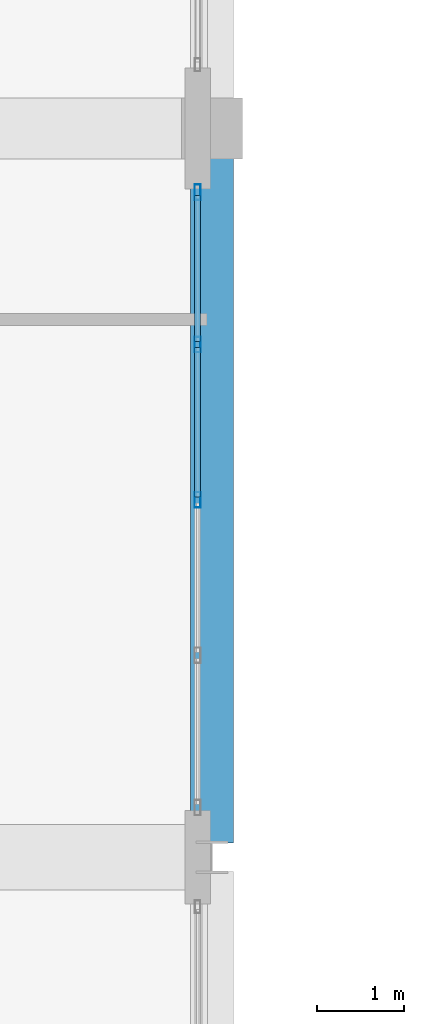
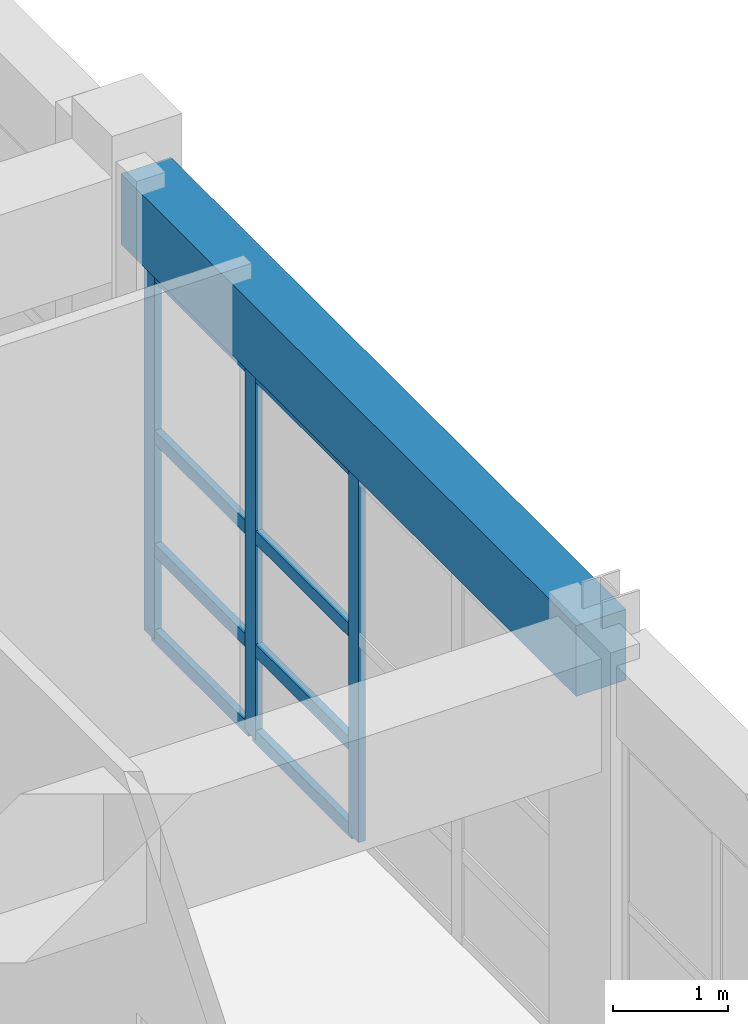
# One storey, part 18 of 78: 11 members, 1 beam, 1 element without a shape of its own.
"""IFC4 building model written with IfcOpenShell, lengths in metres."""

from ifc_helpers import new_model, si_unit, direction, frame, origin, origin_2d, place, context, subcontext, project, spatial, rectangle, hollow_rectangle, extrude, material, layer, layer_set, material_profile, profile_set, type_object, element, aggregate, save


model = new_model("IFC4")

# Units and contexts
model_context = context("Model", 3, precision=1e-05, world=origin(), true_north=direction((0.0, 1.0)))
body_context = subcontext(model_context, "Body", "Model", "MODEL_VIEW")
ifc_project = project(units=[si_unit("LENGTHUNIT", "METRE"), si_unit("AREAUNIT", "SQUARE_METRE"), si_unit("VOLUMEUNIT", "CUBIC_METRE"), si_unit("PLANEANGLEUNIT", "RADIAN"), si_unit("MASSUNIT", "GRAM", prefix="KILO")], contexts=[model_context])

# Site, building, storey
site_placement = place(None, origin())
site = spatial("IfcSite", under=ifc_project, at=site_placement, CompositionType="ELEMENT")
building_placement = place(site_placement, origin())
building = spatial("IfcBuilding", under=site, at=building_placement, Name="Quendrovan Civic Courthouse", CompositionType="ELEMENT")
storey_placement = place(building_placement, frame((0.0, 0.0, 10.199951171875)))
storey = spatial("IfcBuildingStorey", under=building, at=storey_placement, Name="L03", CompositionType="ELEMENT", Elevation=10.199951171875)

# Beam
ifc_material_1 = material(Name="Concrete C40/50", Category="concrete")
ifc_material_profile_1 = material_profile(ifc_material_1, rectangle(XDim=0.5, YDim=0.75, at=origin_2d()), Name="RC-BM-500x750")
ifc_profile_set_1 = profile_set([ifc_material_profile_1], Name="Concrete C40/50")
beam_type = type_object("IfcBeamType", Name="BM-RC750", PredefinedType="SPANDREL", material=ifc_profile_set_1)
beam_placement = place(storey_placement, frame((16.800048828125, 39.76611328125, 4.28515625), z_axis=(0.0, 1.0, 0.0), x_axis=(-1.0, 0.0, 0.0)))
element("IfcBeam", 1, at=beam_placement, inside=storey, type_object=beam_type, Name="L03 Girder Y0813", PredefinedType="SPANDREL", context=body_context, shape_type="SweptSolid", body=[
    extrude(rectangle(XDim=0.5, YDim=0.75, at=origin_2d()), origin(), (0.0, 0.0, 1.0), 7.90380859375),
])

# Curtain wall, members
ifc_material_2 = material(Name="Bronze anodised aluminium and low-E glass", Category="aluminium")
ifc_layer = layer(ifc_material_2, 0.179931640625, Name="Bronze anodised aluminium and low-E glass")
ifc_layer_set = layer_set([ifc_layer], Name="Bronze anodised aluminium and low-E glass")
curtain_wall_type = type_object("IfcCurtainWallType", Name="CW-U72x39", PredefinedType="USERDEFINED", material=ifc_layer_set)
curtain_wall_placement = place(storey_placement, origin())
curtain_wall = element("IfcCurtainWall", 2, at=curtain_wall_placement, inside=storey, type_object=curtain_wall_type, Name="L03 Unitised Hurricane Curtain Wall CW-124", ObjectType="UNITISED CURTAIN WALL", PredefinedType="USERDEFINED")
ifc_material_3 = material(Name="Bronze anodised aluminium", Category="aluminium")
ifc_material_profile_2 = material_profile(ifc_material_3, hollow_rectangle(XDim=0.070068359375, YDim=0.179931640625, WallThickness=0.00390625, at=origin_2d()), Name="CW-MULL-70x180")
ifc_profile_set_2 = profile_set([ifc_material_profile_2], Name="Bronze anodised aluminium")
member_type_1 = type_object("IfcMemberType", Name="CW-MULL-A", PredefinedType="MULLION", material=ifc_profile_set_2)
member_1_placement = place(storey_placement, frame((16.635009765625, 47.264892578125, 0.0), z_axis=(0.0, 0.0, 1.0), x_axis=(1.0, 0.0, 0.0)))
member_1 = element("IfcMember", 3, at=member_1_placement, type_object=member_type_1, Name="CW-124 mullion 1", PredefinedType="MULLION", context=body_context, shape_type="SweptSolid", body=[
    extrude(hollow_rectangle(XDim=0.070068359375, YDim=0.179931640625, WallThickness=0.00390625, at=origin_2d()), origin(), (0.0, 0.0, 1.0), 3.900146484375),
])
member_2_placement = place(storey_placement, frame((16.635009765625, 45.50927734375, 0.0), z_axis=(0.0, 0.0, 1.0), x_axis=(1.0, 0.0, 0.0)))
member_2 = element("IfcMember", 4, at=member_2_placement, type_object=member_type_1, Name="CW-124 mullion 2", PredefinedType="MULLION", context=body_context, shape_type="SweptSolid", body=[
    extrude(hollow_rectangle(XDim=0.070068359375, YDim=0.179931640625, WallThickness=0.00390625, at=origin_2d()), origin(), (0.0, 0.0, 1.0), 3.900146484375),
])
member_3_placement = place(storey_placement, frame((16.635009765625, 43.718505859375, 0.0), z_axis=(0.0, 0.0, 1.0), x_axis=(1.0, 0.0, 0.0)))
member_3 = element("IfcMember", 5, at=member_3_placement, type_object=member_type_1, Name="CW-124 mullion 3", PredefinedType="MULLION", context=body_context, shape_type="SweptSolid", body=[
    extrude(hollow_rectangle(XDim=0.070068359375, YDim=0.179931640625, WallThickness=0.00390625, at=origin_2d()), origin(), (0.0, 0.0, 1.0), 3.900146484375),
])
ifc_material_profile_3 = material_profile(ifc_material_3, hollow_rectangle(XDim=0.070068359375, YDim=0.139892578125, WallThickness=0.00390625, at=origin_2d()), Name="CW-TRAN-70x140")
ifc_profile_set_3 = profile_set([ifc_material_profile_3], Name="Bronze anodised aluminium")
member_type_2 = type_object("IfcMemberType", Name="CW-TRAN-A", PredefinedType="USERDEFINED", material=ifc_profile_set_3)
member_4_placement = place(storey_placement, frame((16.635009765625, 47.22998046875, 0.03515625), z_axis=(0.0, -1.0, 0.0), x_axis=(1.0, 0.0, 0.0)))
member_4 = element("IfcMember", 6, at=member_4_placement, type_object=member_type_2, Name="CW-124 transom 1.1", ObjectType="TRANSOM", PredefinedType="USERDEFINED", context=body_context, shape_type="SweptSolid", body=[
    extrude(hollow_rectangle(XDim=0.070068359375, YDim=0.139892578125, WallThickness=0.00390625, at=origin_2d()), origin(), (0.0, 0.0, 1.0), 1.685791015625),
])
member_5_placement = place(storey_placement, frame((16.635009765625, 47.22998046875, 0.949951171875), z_axis=(0.0, -1.0, 0.0), x_axis=(1.0, 0.0, 0.0)))
member_5 = element("IfcMember", 7, at=member_5_placement, type_object=member_type_2, Name="CW-124 transom 1.2", ObjectType="TRANSOM", PredefinedType="USERDEFINED", context=body_context, shape_type="SweptSolid", body=[
    extrude(hollow_rectangle(XDim=0.070068359375, YDim=0.139892578125, WallThickness=0.00390625, at=origin_2d()), origin(), (0.0, 0.0, 1.0), 1.685791015625),
])
member_6_placement = place(storey_placement, frame((16.635009765625, 47.22998046875, 2.150146484375), z_axis=(0.0, -1.0, 0.0), x_axis=(1.0, 0.0, 0.0)))
member_6 = element("IfcMember", 8, at=member_6_placement, type_object=member_type_2, Name="CW-124 transom 1.3", ObjectType="TRANSOM", PredefinedType="USERDEFINED", context=body_context, shape_type="SweptSolid", body=[
    extrude(hollow_rectangle(XDim=0.070068359375, YDim=0.139892578125, WallThickness=0.00390625, at=origin_2d()), origin(), (0.0, 0.0, 1.0), 1.685791015625),
])
member_7_placement = place(storey_placement, frame((16.635009765625, 47.22998046875, 3.864990234375), z_axis=(0.0, -1.0, 0.0), x_axis=(1.0, 0.0, 0.0)))
member_7 = element("IfcMember", 9, at=member_7_placement, type_object=member_type_2, Name="CW-124 transom 1.4", ObjectType="TRANSOM", PredefinedType="USERDEFINED", context=body_context, shape_type="SweptSolid", body=[
    extrude(hollow_rectangle(XDim=0.070068359375, YDim=0.139892578125, WallThickness=0.00390625, at=origin_2d()), origin(), (0.0, 0.0, 1.0), 1.685791015625),
])
member_8_placement = place(storey_placement, frame((16.635009765625, 45.474365234375, 0.03515625), z_axis=(0.0, -1.0, 0.0), x_axis=(1.0, 0.0, 0.0)))
member_8 = element("IfcMember", 10, at=member_8_placement, type_object=member_type_2, Name="CW-124 transom 2.1", ObjectType="TRANSOM", PredefinedType="USERDEFINED", context=body_context, shape_type="SweptSolid", body=[
    extrude(hollow_rectangle(XDim=0.070068359375, YDim=0.139892578125, WallThickness=0.00390625, at=origin_2d()), origin(), (0.0, 0.0, 1.0), 1.720947265625),
])
member_9_placement = place(storey_placement, frame((16.635009765625, 45.474365234375, 0.949951171875), z_axis=(0.0, -1.0, 0.0), x_axis=(1.0, 0.0, 0.0)))
member_9 = element("IfcMember", 11, at=member_9_placement, type_object=member_type_2, Name="CW-124 transom 2.2", ObjectType="TRANSOM", PredefinedType="USERDEFINED", context=body_context, shape_type="SweptSolid", body=[
    extrude(hollow_rectangle(XDim=0.070068359375, YDim=0.139892578125, WallThickness=0.00390625, at=origin_2d()), origin(), (0.0, 0.0, 1.0), 1.720947265625),
])
member_10_placement = place(storey_placement, frame((16.635009765625, 45.474365234375, 2.150146484375), z_axis=(0.0, -1.0, 0.0), x_axis=(1.0, 0.0, 0.0)))
member_10 = element("IfcMember", 12, at=member_10_placement, type_object=member_type_2, Name="CW-124 transom 2.3", ObjectType="TRANSOM", PredefinedType="USERDEFINED", context=body_context, shape_type="SweptSolid", body=[
    extrude(hollow_rectangle(XDim=0.070068359375, YDim=0.139892578125, WallThickness=0.00390625, at=origin_2d()), origin(), (0.0, 0.0, 1.0), 1.720947265625),
])
member_11_placement = place(storey_placement, frame((16.635009765625, 45.474365234375, 3.864990234375), z_axis=(0.0, -1.0, 0.0), x_axis=(1.0, 0.0, 0.0)))
member_11 = element("IfcMember", 13, at=member_11_placement, type_object=member_type_2, Name="CW-124 transom 2.4", ObjectType="TRANSOM", PredefinedType="USERDEFINED", context=body_context, shape_type="SweptSolid", body=[
    extrude(hollow_rectangle(XDim=0.070068359375, YDim=0.139892578125, WallThickness=0.00390625, at=origin_2d()), origin(), (0.0, 0.0, 1.0), 1.720947265625),
])
aggregate(curtain_wall, [member_1, member_2, member_3, member_4, member_5, member_6, member_7, member_8, member_9, member_10, member_11])

save(model, "model.ifc")
